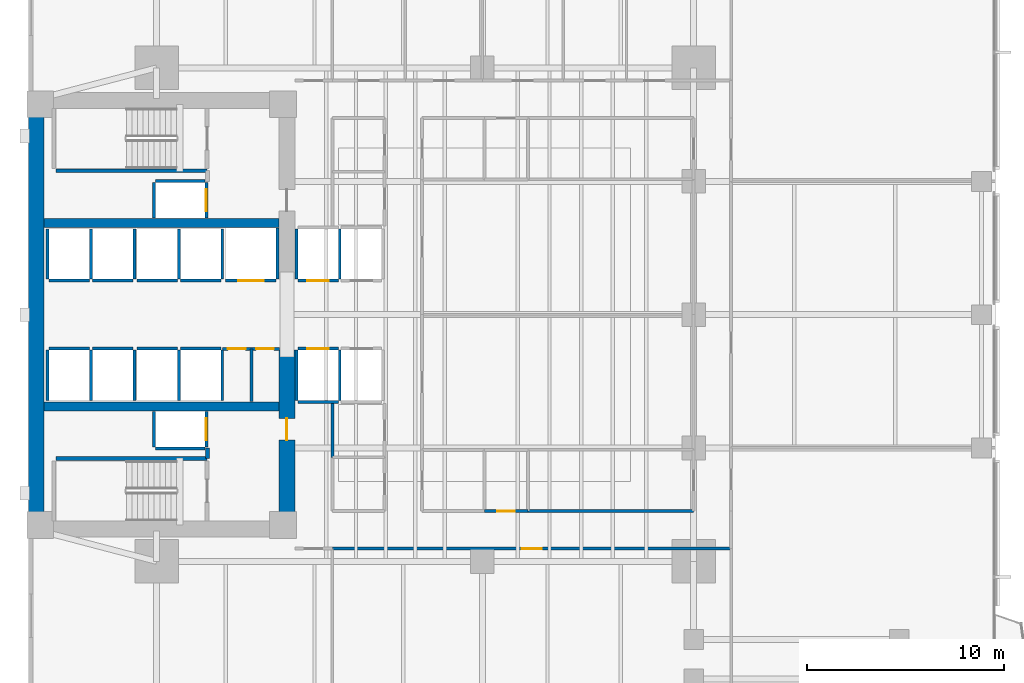
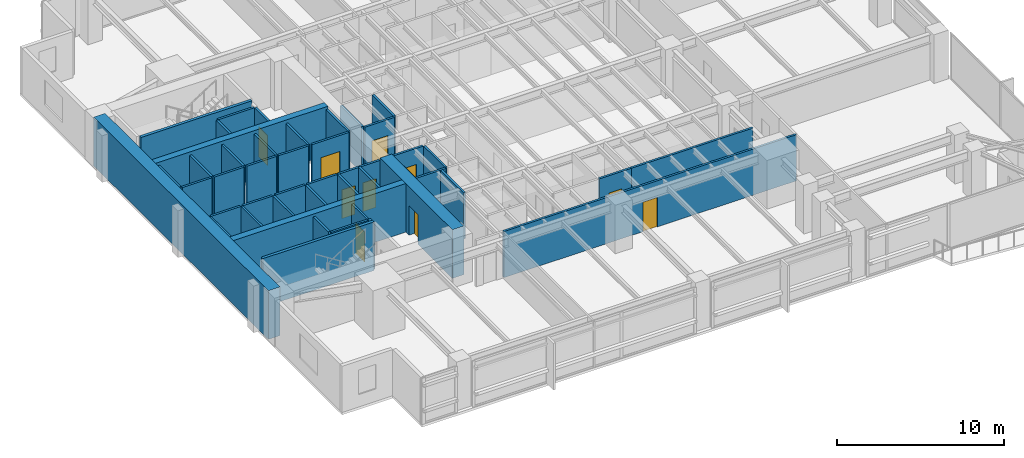
# One storey, part 8 of 15: 46 walls, 10 doors, 10 openings.
"""IFC4 building model written with IfcOpenShell, lengths in metres."""

from ifc_helpers import new_model, si_unit, direction, frame, frame_2d, origin, place, context, subcontext, project, spatial, rectangle, extrude, material, layer, layer_set, type_object, element, fill, save


model = new_model("IFC4")

# Units and contexts
model_context = context("Model", 3, precision=1e-05, world=origin(), true_north=direction((0.0, 1.0)))
body_context = subcontext(model_context, "Body", "Model", "MODEL_VIEW")
ifc_project = project(units=[si_unit("LENGTHUNIT", "METRE"), si_unit("AREAUNIT", "SQUARE_METRE"), si_unit("VOLUMEUNIT", "CUBIC_METRE"), si_unit("PLANEANGLEUNIT", "RADIAN"), si_unit("MASSUNIT", "GRAM", prefix="KILO")], contexts=[model_context])

# Site, building, storey
site_placement = place(None, origin())
site = spatial("IfcSite", under=ifc_project, at=site_placement, CompositionType="ELEMENT")
building_placement = place(site_placement, origin())
building = spatial("IfcBuilding", under=site, at=building_placement, Name="Kinhvarn Gate Tower", CompositionType="ELEMENT")
storey_placement = place(building_placement, frame((0.0, 0.0, 50.449951171875)))
storey = spatial("IfcBuildingStorey", under=building, at=storey_placement, Name="L12", CompositionType="ELEMENT", Elevation=50.449951171875)

# Walls
ifc_material_1 = material(Name="Concrete C50/60", Category="concrete")
ifc_layer_1 = layer(ifc_material_1, 0.449951171875)
ifc_layer_set_1 = layer_set([ifc_layer_1], Name="Concrete C50/60")
wall_type_1 = type_object("IfcWallType", Name="WL-CORE-450", PredefinedType="SHEAR", material=ifc_layer_set_1)
for number, where, z_axis, x_axis, name in (
    (1, (5.300048828125, 20.60009765625, 0.0), (0.0, 0.0, 1.0), (1.0, 0.0, 0.0), "Core South Spine Shear Wall L12 450 mm"),
    (2, (5.300048828125, 29.89990234375, 0.0), (0.0, 0.0, 1.0), (1.0, 0.0, 0.0), "Core North Spine Shear Wall L12 450 mm"),
):
    element("IfcWall", number, at=place(storey_placement, frame(where, z_axis=z_axis, x_axis=x_axis)), inside=storey, type_object=wall_type_1, Name=name, PredefinedType="SHEAR", context=body_context, shape_type="SweptSolid", body=[
        extrude(rectangle(XDim=11.89990234375, YDim=0.449951171875, at=frame_2d((5.949951171875, 0.0))), origin(), (0.0, 0.0, 1.0), 3.550048828125),
    ])

# Wall, opening, door
ifc_material_2 = material(Name="Concrete C70/85", Category="concrete")
ifc_layer_2 = layer(ifc_material_2, 0.800048828125)
ifc_layer_set_2 = layer_set([ifc_layer_2], Name="Concrete C70/85")
wall_type_2 = type_object("IfcWallType", Name="WL-CORE-800", PredefinedType="SHEAR", material=ifc_layer_set_2)
wall_1_placement = place(storey_placement, frame((17.60009765625, 14.800048828125, 0.0), z_axis=(0.0, 0.0, 1.0), x_axis=(0.0, 1.0, 0.0)))
wall_1 = element("IfcWall", 3, at=wall_1_placement, inside=storey, type_object=wall_type_2, Name="Core East-South Shear Pier L12 800 mm", PredefinedType="SHEAR", context=body_context, shape_type="SweptSolid", body=[
    extrude(rectangle(XDim=8.64990234375, YDim=0.800048828125, at=frame_2d((4.324951171875, 0.0))), origin(), (0.0, 0.0, 1.0), 3.550048828125),
])
opening_1_placement = place(wall_1_placement, frame((4.10009765625, 0.0, 0.0)))
opening_1 = element("IfcOpeningElement", 4, at=opening_1_placement, cuts=wall_1, Name="Opening FD-02", PredefinedType="OPENING", context=body_context, shape_type="SweptSolid", body=[
    extrude(rectangle(XDim=1.10009765625, YDim=2.14990234375, at=frame_2d((0.550048828125, 1.074951171875))), frame((0.0, 0.41015625, 0.0), z_axis=(0.0, -1.0, 0.0), x_axis=(1.0, 0.0, 0.0)), (0.0, 0.0, 1.0), 0.820068359375),
])
ifc_material_3 = material(Name="Anodised aluminium AW-6063", Category="aluminium")
door_type_1 = type_object("IfcDoorType", Name="DR-FD-1100", OperationType="NOTDEFINED", PredefinedType="DOOR", material=ifc_material_3)
door_1_placement = place(opening_1_placement, origin())
door_1 = element("IfcDoor", 5, at=door_1_placement, inside=storey, type_object=door_type_1, Name="Firefighting Lobby Core Door (L12)", OperationType="SINGLE_SWING_RIGHT", OverallHeight=2.14990234375, OverallWidth=1.10009765625, PredefinedType="DOOR", context=body_context, shape_type="SweptSolid", body=[
    extrude(rectangle(XDim=1.10009765625, YDim=2.14990234375, at=frame_2d((0.550048828125, 1.074951171875))), frame((0.0, 0.02490234375, 0.0), z_axis=(0.0, -1.0, 0.0), x_axis=(1.0, 0.0, 0.0)), (0.0, 0.0, 1.0), 0.050048828125),
])
fill(opening_1, door_1)

# Wall
ifc_layer_3 = layer(ifc_material_2, 0.800048828125)
ifc_layer_set_3 = layer_set([ifc_layer_3], Name="Concrete C70/85")
wall_type_3 = type_object("IfcWallType", Name="WL-COREX-800", PredefinedType="SHEAR", material=ifc_layer_set_3)
wall_2_placement = place(storey_placement, frame((4.89990234375, 14.800048828125, 0.0), z_axis=(0.0, 0.0, 1.0), x_axis=(0.0, 1.0, 0.0)))
element("IfcWall", 6, at=wall_2_placement, inside=storey, type_object=wall_type_3, Name="Core West Shear Wall L12 800 mm", PredefinedType="SHEAR", context=body_context, shape_type="SweptSolid", body=[
    extrude(rectangle(XDim=20.89990234375, YDim=0.800048828125, at=frame_2d((10.449951171875, 0.0))), origin(), (0.0, 0.0, 1.0), 3.550048828125),
])

# Wall, opening, door
ifc_material_4 = material(Name="Gypsum acoustic partition board")
ifc_layer_4 = layer(ifc_material_4, 0.14990234375)
ifc_layer_set_4 = layer_set([ifc_layer_4], Name="Gypsum acoustic partition board")
wall_type_4 = type_object("IfcWallType", Name="WL-PLM-150F", PredefinedType="PLUMBINGWALL", material=ifc_layer_set_4)
wall_3_placement = place(storey_placement, frame((27.60009765625, 15.300048828125, 0.0), z_axis=(0.0, 0.0, 1.0), x_axis=(1.0, 0.0, 0.0)))
wall_3 = element("IfcWall", 7, at=wall_3_placement, inside=storey, type_object=wall_type_4, Name="Interior Partition PLW-150F (L12)", PredefinedType="PLUMBINGWALL", context=body_context, shape_type="SweptSolid", body=[
    extrude(rectangle(XDim=2.199951171875, YDim=0.14990234375, at=frame_2d((1.10009765625, 0.0))), origin(), (0.0, 0.0, 1.0), 3.3701171875),
])
opening_2_placement = place(wall_3_placement, frame((0.64990234375, 0.0, 0.0)))
opening_2 = element("IfcOpeningElement", 8, at=opening_2_placement, cuts=wall_3, Name="Opening FD-04", PredefinedType="OPENING", context=body_context, shape_type="SweptSolid", body=[
    extrude(rectangle(XDim=0.89990234375, YDim=2.10009765625, at=frame_2d((0.449951171875, 1.050048828125))), frame((0.0, 0.0849609375, 0.0), z_axis=(0.0, -1.0, 0.0), x_axis=(1.0, 0.0, 0.0)), (0.0, 0.0, 1.0), 0.169921875),
])
door_type_2 = type_object("IfcDoorType", Name="DR-FD-900", OperationType="NOTDEFINED", PredefinedType="DOOR", material=ifc_material_3)
door_2_placement = place(opening_2_placement, origin())
door_2 = element("IfcDoor", 9, at=door_2_placement, inside=storey, type_object=door_type_2, Name="Rated Riser & Service Closet Fire Door 900x2100 mm (L12)", OperationType="SINGLE_SWING_LEFT", OverallHeight=2.10009765625, OverallWidth=0.89990234375, PredefinedType="DOOR", context=body_context, shape_type="SweptSolid", body=[
    extrude(rectangle(XDim=0.89990234375, YDim=2.10009765625, at=frame_2d((0.449951171875, 1.050048828125))), frame((0.0, 0.02490234375, 0.0), z_axis=(0.0, -1.0, 0.0), x_axis=(1.0, 0.0, 0.0)), (0.0, 0.0, 1.0), 0.050048828125),
])
fill(opening_2, door_2)

# Wall
ifc_layer_5 = layer(ifc_material_4, 0.14990234375)
ifc_layer_set_5 = layer_set([ifc_layer_5], Name="Gypsum acoustic partition board")
wall_type_5 = type_object("IfcWallType", Name="WL-PRT-150F", PredefinedType="PARTITIONING", material=ifc_layer_set_5)
wall_4_placement = place(storey_placement, frame((15.800048828125, 20.85009765625, 0.0), z_axis=(0.0, 0.0, 1.0), x_axis=(0.0, 1.0, 0.0)))
element("IfcWall", 10, at=wall_4_placement, inside=storey, type_object=wall_type_5, Name="Interior Partition PW-150F (L12)", PredefinedType="PARTITIONING", context=body_context, shape_type="SweptSolid", body=[
    extrude(rectangle(XDim=2.669921875, YDim=0.14990234375, at=frame_2d((1.3349609375, 0.0))), origin(), (0.0, 0.0, 1.0), 3.3701171875),
])

# Wall, openings, doors
wall_5_placement = place(storey_placement, frame((14.330078125, 23.52001953125, 0.0), z_axis=(0.0, 0.0, 1.0), x_axis=(1.0, 0.0, 0.0)))
wall_5 = element("IfcWall", 11, at=wall_5_placement, inside=storey, type_object=wall_type_5, Name="Interior Partition PW-150F (L12)", PredefinedType="PARTITIONING", context=body_context, shape_type="SweptSolid", body=[
    extrude(rectangle(XDim=2.889892578125, YDim=0.14990234375, at=frame_2d((1.44482421875, 0.0))), origin(), (0.0, 0.0, 1.0), 3.3701171875),
])
opening_3_placement = place(wall_5_placement, frame((0.280029296875, 0.0, 0.0)))
opening_3 = element("IfcOpeningElement", 12, at=opening_3_placement, cuts=wall_5, Name="Opening FD-04", PredefinedType="OPENING", context=body_context, shape_type="SweptSolid", body=[
    extrude(rectangle(XDim=0.89990234375, YDim=2.10009765625, at=frame_2d((0.449951171875, 1.050048828125))), frame((0.0, 0.0849609375, 0.0), z_axis=(0.0, -1.0, 0.0), x_axis=(1.0, 0.0, 0.0)), (0.0, 0.0, 1.0), 0.169921875),
])
opening_4_placement = place(wall_5_placement, frame((1.7099609375, 0.0, 0.0)))
opening_4 = element("IfcOpeningElement", 13, at=opening_4_placement, cuts=wall_5, Name="Opening FD-04", PredefinedType="OPENING", context=body_context, shape_type="SweptSolid", body=[
    extrude(rectangle(XDim=0.89990234375, YDim=2.10009765625, at=frame_2d((0.449951171875, 1.050048828125))), frame((0.0, 0.0849609375, 0.0), z_axis=(0.0, -1.0, 0.0), x_axis=(1.0, 0.0, 0.0)), (0.0, 0.0, 1.0), 0.169921875),
])
door_3_placement = place(opening_3_placement, origin())
door_3 = element("IfcDoor", 14, at=door_3_placement, inside=storey, type_object=door_type_2, Name="Rated Riser & Service Closet Fire Door 900x2100 mm (L12)", OperationType="SINGLE_SWING_LEFT", OverallHeight=2.10009765625, OverallWidth=0.89990234375, PredefinedType="DOOR", context=body_context, shape_type="SweptSolid", body=[
    extrude(rectangle(XDim=0.89990234375, YDim=2.10009765625, at=frame_2d((0.449951171875, 1.050048828125))), frame((0.0, 0.02490234375, 0.0), z_axis=(0.0, -1.0, 0.0), x_axis=(1.0, 0.0, 0.0)), (0.0, 0.0, 1.0), 0.050048828125),
])
fill(opening_3, door_3)
door_4_placement = place(opening_4_placement, origin())
door_4 = element("IfcDoor", 15, at=door_4_placement, inside=storey, type_object=door_type_2, Name="Rated Riser & Service Closet Fire Door 900x2100 mm (L12)", OperationType="SINGLE_SWING_RIGHT", OverallHeight=2.10009765625, OverallWidth=0.89990234375, PredefinedType="DOOR", context=body_context, shape_type="SweptSolid", body=[
    extrude(rectangle(XDim=0.89990234375, YDim=2.10009765625, at=frame_2d((0.449951171875, 1.050048828125))), frame((0.0, 0.02490234375, 0.0), z_axis=(0.0, -1.0, 0.0), x_axis=(1.0, 0.0, 0.0)), (0.0, 0.0, 1.0), 0.050048828125),
])
fill(opening_4, door_4)

# Walls
wall_6_placement = place(storey_placement, frame((19.89990234375, 18.02001953125, 0.0), z_axis=(0.0, 0.0, 1.0), x_axis=(0.0, 1.0, 0.0)))
element("IfcWall", 16, at=wall_6_placement, inside=storey, type_object=wall_type_5, Name="Interior Partition PW-150F (L12)", PredefinedType="PARTITIONING", context=body_context, shape_type="SweptSolid", body=[
    extrude(rectangle(XDim=2.72998046875, YDim=0.14990234375, at=frame_2d((1.364990234375, 0.0))), origin(), (0.0, 0.0, 1.0), 3.3701171875),
])
wall_7_placement = place(storey_placement, frame((29.800048828125, 15.300048828125, 0.0), z_axis=(0.0, 0.0, 1.0), x_axis=(1.0, 0.0, 0.0)))
element("IfcWall", 17, at=wall_7_placement, inside=storey, type_object=wall_type_5, Name="Interior Partition PW-150F (L12)", PredefinedType="PARTITIONING", context=body_context, shape_type="SweptSolid", body=[
    extrude(rectangle(XDim=8.39990234375, YDim=0.14990234375, at=frame_2d((4.199951171875, 0.0))), origin(), (0.0, 0.0, 1.0), 3.3701171875),
])

# Wall, opening, door
wall_8_placement = place(storey_placement, frame((19.89990234375, 13.39990234375, 0.0), z_axis=(0.0, 0.0, 1.0), x_axis=(1.0, 0.0, 0.0)))
wall_8 = element("IfcWall", 18, at=wall_8_placement, inside=storey, type_object=wall_type_5, Name="Interior Partition PW-150F (L12)", PredefinedType="PARTITIONING", context=body_context, shape_type="SweptSolid", body=[
    extrude(rectangle(XDim=20.2001953125, YDim=0.14990234375, at=frame_2d((10.10009765625, 0.0))), origin(), (0.0, 0.0, 1.0), 3.3701171875),
])
opening_5_placement = place(wall_8_placement, frame((9.60009765625, 0.0, 0.0)))
opening_5 = element("IfcOpeningElement", 19, at=opening_5_placement, cuts=wall_8, Name="Opening ID-02", PredefinedType="OPENING", context=body_context, shape_type="SweptSolid", body=[
    extrude(rectangle(XDim=1.0, YDim=2.14990234375, at=frame_2d((0.5, 1.074951171875))), frame((0.0, 0.0849609375, 0.0), z_axis=(0.0, -1.0, 0.0), x_axis=(1.0, 0.0, 0.0)), (0.0, 0.0, 1.0), 0.169921875),
])
door_type_3 = type_object("IfcDoorType", Name="DR-INT-1000", OperationType="NOTDEFINED", PredefinedType="DOOR", material=ifc_material_3)
door_5_placement = place(opening_5_placement, origin())
door_5 = element("IfcDoor", 20, at=door_5_placement, inside=storey, type_object=door_type_3, Name="Standard Office & Meeting Room Door 1000x2150 mm (L12)", OperationType="SINGLE_SWING_LEFT", OverallHeight=2.14990234375, OverallWidth=1.0, PredefinedType="DOOR", context=body_context, shape_type="SweptSolid", body=[
    extrude(rectangle(XDim=1.0, YDim=2.14990234375, at=frame_2d((0.5, 1.074951171875))), frame((0.0, 0.02490234375, 0.0), z_axis=(0.0, -1.0, 0.0), x_axis=(1.0, 0.0, 0.0)), (0.0, 0.0, 1.0), 0.050048828125),
])
fill(opening_5, door_5)

# Walls
ifc_layer_6 = layer(ifc_material_4, 0.199951171875)
ifc_layer_set_6 = layer_set([ifc_layer_6], Name="Gypsum acoustic partition board")
wall_type_6 = type_object("IfcWallType", Name="WL-PRT-200", PredefinedType="PARTITIONING", material=ifc_layer_set_6)
wall_9_placement = place(storey_placement, frame((13.580078125, 17.9599609375, 0.0), z_axis=(0.0, 0.0, 1.0), x_axis=(0.0, 1.0, 0.0)))
element("IfcWall", 21, at=wall_9_placement, inside=storey, type_object=wall_type_6, Name="Interior Partition PW-200 (L12)", PredefinedType="PARTITIONING", context=body_context, shape_type="SweptSolid", body=[
    extrude(rectangle(XDim=0.5400390625, YDim=0.199951171875, at=frame_2d((0.27001953125, 0.0))), origin(), (0.0, 0.0, 1.0), 3.3701171875),
])
ifc_layer_7 = layer(ifc_material_4, 0.14990234375)
ifc_layer_set_7 = layer_set([ifc_layer_7], Name="Gypsum acoustic partition board")
wall_type_7 = type_object("IfcWallType", Name="WL-SHF-150", PredefinedType="PARTITIONING", material=ifc_layer_set_7)
wall_10_placement = place(storey_placement, frame((18.14990234375, 20.824951171875, 0.0), z_axis=(0.0, 0.0, 1.0), x_axis=(1.0, 0.0, 0.0)))
element("IfcWall", 22, at=wall_10_placement, inside=storey, type_object=wall_type_7, Name="Elevator PL-01 Hoistway Wall S (L12)", PredefinedType="PARTITIONING", context=body_context, shape_type="SweptSolid", body=[
    extrude(rectangle(XDim=2.050048828125, YDim=0.14990234375, at=frame_2d((1.02490234375, 0.0))), origin(), (0.0, 0.0, 1.0), 3.3701171875),
])

# Wall, opening, door
wall_11_placement = place(storey_placement, frame((18.14990234375, 23.52490234375, 0.0), z_axis=(0.0, 0.0, 1.0), x_axis=(1.0, 0.0, 0.0)))
wall_11 = element("IfcWall", 23, at=wall_11_placement, inside=storey, type_object=wall_type_7, Name="Elevator PL-01 Landing Wall (L12)", PredefinedType="PARTITIONING", context=body_context, shape_type="SweptSolid", body=[
    extrude(rectangle(XDim=2.050048828125, YDim=0.14990234375, at=frame_2d((1.02490234375, 0.0))), origin(), (0.0, 0.0, 1.0), 3.3701171875),
])
opening_6_placement = place(wall_11_placement, frame((0.47509765625, 0.0, 0.0)))
opening_6 = element("IfcOpeningElement", 24, at=opening_6_placement, cuts=wall_11, Name="Opening LD-01", PredefinedType="OPENING", context=body_context, shape_type="SweptSolid", body=[
    extrude(rectangle(XDim=1.10009765625, YDim=2.199951171875, at=frame_2d((0.550048828125, 1.10009765625))), frame((0.0, 0.0849609375, 0.0), z_axis=(0.0, -1.0, 0.0), x_axis=(1.0, 0.0, 0.0)), (0.0, 0.0, 1.0), 0.169921875),
])
door_type_4 = type_object("IfcDoorType", Name="DR-LND-PAS", OperationType="NOTDEFINED", PredefinedType="DOOR", material=ifc_material_3)
door_6_placement = place(opening_6_placement, origin())
door_6 = element("IfcDoor", 25, at=door_6_placement, inside=storey, type_object=door_type_4, Name="Elevator PL-01 Sliding Landing Door (L12)", OperationType="DOUBLE_DOOR_SLIDING", OverallHeight=2.199951171875, OverallWidth=1.10009765625, PredefinedType="DOOR", context=body_context, shape_type="SweptSolid", body=[
    extrude(rectangle(XDim=1.10009765625, YDim=2.199951171875, at=frame_2d((0.550048828125, 1.10009765625))), frame((0.0, 0.02490234375, 0.0), z_axis=(0.0, -1.0, 0.0), x_axis=(1.0, 0.0, 0.0)), (0.0, 0.0, 1.0), 0.050048828125),
])
fill(opening_6, door_6)

# Walls
for number, where, z_axis, x_axis, name in (
    (26, (18.074951171875, 20.89990234375, 0.0), (0.0, 0.0, 1.0), (0.0, 1.0, 0.0), "Elevator PL-01 Hoistway Wall W (L12)"),
    (27, (20.27490234375, 20.89990234375, 0.0), (0.0, 0.0, 1.0), (0.0, 1.0, 0.0), "Elevator PL-01 Hoistway Wall E (L12)"),
):
    element("IfcWall", number, at=place(storey_placement, frame(where, z_axis=z_axis, x_axis=x_axis)), inside=storey, type_object=wall_type_7, Name=name, PredefinedType="PARTITIONING", context=body_context, shape_type="SweptSolid", body=[
        extrude(rectangle(XDim=2.550048828125, YDim=0.14990234375, at=frame_2d((1.27490234375, 0.0))), origin(), (0.0, 0.0, 1.0), 3.3701171875),
    ])

# Wall, opening, door
wall_12_placement = place(storey_placement, frame((18.14990234375, 26.97509765625, 0.0), z_axis=(0.0, 0.0, 1.0), x_axis=(1.0, 0.0, 0.0)))
wall_12 = element("IfcWall", 28, at=wall_12_placement, inside=storey, type_object=wall_type_7, Name="Elevator PL-03 Landing Wall (L12)", PredefinedType="PARTITIONING", context=body_context, shape_type="SweptSolid", body=[
    extrude(rectangle(XDim=2.050048828125, YDim=0.14990234375, at=frame_2d((1.02490234375, 0.0))), origin(), (0.0, 0.0, 1.0), 3.3701171875),
])
opening_7_placement = place(wall_12_placement, frame((0.47509765625, 0.0, 0.0)))
opening_7 = element("IfcOpeningElement", 29, at=opening_7_placement, cuts=wall_12, Name="Opening LD-01", PredefinedType="OPENING", context=body_context, shape_type="SweptSolid", body=[
    extrude(rectangle(XDim=1.10009765625, YDim=2.199951171875, at=frame_2d((0.550048828125, 1.10009765625))), frame((0.0, 0.0849609375, 0.0), z_axis=(0.0, -1.0, 0.0), x_axis=(1.0, 0.0, 0.0)), (0.0, 0.0, 1.0), 0.169921875),
])
door_7_placement = place(opening_7_placement, origin())
door_7 = element("IfcDoor", 30, at=door_7_placement, inside=storey, type_object=door_type_4, Name="Elevator PL-03 Sliding Landing Door (L12)", OperationType="DOUBLE_DOOR_SLIDING", OverallHeight=2.199951171875, OverallWidth=1.10009765625, PredefinedType="DOOR", context=body_context, shape_type="SweptSolid", body=[
    extrude(rectangle(XDim=1.10009765625, YDim=2.199951171875, at=frame_2d((0.550048828125, 1.10009765625))), frame((0.0, 0.02490234375, 0.0), z_axis=(0.0, -1.0, 0.0), x_axis=(1.0, 0.0, 0.0)), (0.0, 0.0, 1.0), 0.050048828125),
])
fill(opening_7, door_7)

# Walls
for number, where, z_axis, x_axis, name in (
    (31, (18.074951171875, 27.050048828125, 0.0), (0.0, 0.0, 1.0), (0.0, 1.0, 0.0), "Elevator PL-03 Hoistway Wall W (L12)"),
    (32, (20.27490234375, 27.050048828125, 0.0), (0.0, 0.0, 1.0), (0.0, 1.0, 0.0), "Elevator PL-03 Hoistway Wall E (L12)"),
):
    element("IfcWall", number, at=place(storey_placement, frame(where, z_axis=z_axis, x_axis=x_axis)), inside=storey, type_object=wall_type_7, Name=name, PredefinedType="PARTITIONING", context=body_context, shape_type="SweptSolid", body=[
        extrude(rectangle(XDim=2.550048828125, YDim=0.14990234375, at=frame_2d((1.27490234375, 0.0))), origin(), (0.0, 0.0, 1.0), 3.3701171875),
    ])
wall_13_placement = place(storey_placement, frame((5.550048828125, 23.52490234375, 0.0), z_axis=(0.0, 0.0, 1.0), x_axis=(1.0, 0.0, 0.0)))
element("IfcWall", 33, at=wall_13_placement, inside=storey, type_object=wall_type_7, Name="Elevator PM-05 Landing Wall (L12)", PredefinedType="PARTITIONING", context=body_context, shape_type="SweptSolid", body=[
    extrude(rectangle(XDim=2.050048828125, YDim=0.14990234375, at=frame_2d((1.02490234375, 0.0))), origin(), (0.0, 0.0, 1.0), 3.3701171875),
])
for number, where, z_axis, x_axis, name in (
    (34, (5.47509765625, 20.89990234375, 0.0), (0.0, 0.0, 1.0), (0.0, 1.0, 0.0), "Elevator PM-05 Hoistway Wall W (L12)"),
    (35, (7.675048828125, 20.89990234375, 0.0), (0.0, 0.0, 1.0), (0.0, 1.0, 0.0), "Elevator PM-05 Hoistway Wall E (L12)"),
):
    element("IfcWall", number, at=place(storey_placement, frame(where, z_axis=z_axis, x_axis=x_axis)), inside=storey, type_object=wall_type_7, Name=name, PredefinedType="PARTITIONING", context=body_context, shape_type="SweptSolid", body=[
        extrude(rectangle(XDim=2.550048828125, YDim=0.14990234375, at=frame_2d((1.27490234375, 0.0))), origin(), (0.0, 0.0, 1.0), 3.3701171875),
    ])
wall_14_placement = place(storey_placement, frame((7.75, 23.52490234375, 0.0), z_axis=(0.0, 0.0, 1.0), x_axis=(1.0, 0.0, 0.0)))
element("IfcWall", 36, at=wall_14_placement, inside=storey, type_object=wall_type_7, Name="Elevator PM-06 Landing Wall (L12)", PredefinedType="PARTITIONING", context=body_context, shape_type="SweptSolid", body=[
    extrude(rectangle(XDim=2.050048828125, YDim=0.14990234375, at=frame_2d((1.02490234375, 0.0))), origin(), (0.0, 0.0, 1.0), 3.3701171875),
])
wall_15_placement = place(storey_placement, frame((9.875, 20.89990234375, 0.0), z_axis=(0.0, 0.0, 1.0), x_axis=(0.0, 1.0, 0.0)))
element("IfcWall", 37, at=wall_15_placement, inside=storey, type_object=wall_type_7, Name="Elevator PM-06 Hoistway Wall E (L12)", PredefinedType="PARTITIONING", context=body_context, shape_type="SweptSolid", body=[
    extrude(rectangle(XDim=2.550048828125, YDim=0.14990234375, at=frame_2d((1.27490234375, 0.0))), origin(), (0.0, 0.0, 1.0), 3.3701171875),
])
wall_16_placement = place(storey_placement, frame((5.550048828125, 26.97509765625, 0.0), z_axis=(0.0, 0.0, 1.0), x_axis=(1.0, 0.0, 0.0)))
element("IfcWall", 38, at=wall_16_placement, inside=storey, type_object=wall_type_7, Name="Elevator PM-07 Landing Wall (L12)", PredefinedType="PARTITIONING", context=body_context, shape_type="SweptSolid", body=[
    extrude(rectangle(XDim=2.050048828125, YDim=0.14990234375, at=frame_2d((1.02490234375, 0.0))), origin(), (0.0, 0.0, 1.0), 3.3701171875),
])
for number, where, z_axis, x_axis, name in (
    (39, (5.47509765625, 27.050048828125, 0.0), (0.0, 0.0, 1.0), (0.0, 1.0, 0.0), "Elevator PM-07 Hoistway Wall W (L12)"),
    (40, (7.675048828125, 27.050048828125, 0.0), (0.0, 0.0, 1.0), (0.0, 1.0, 0.0), "Elevator PM-07 Hoistway Wall E (L12)"),
):
    element("IfcWall", number, at=place(storey_placement, frame(where, z_axis=z_axis, x_axis=x_axis)), inside=storey, type_object=wall_type_7, Name=name, PredefinedType="PARTITIONING", context=body_context, shape_type="SweptSolid", body=[
        extrude(rectangle(XDim=2.550048828125, YDim=0.14990234375, at=frame_2d((1.27490234375, 0.0))), origin(), (0.0, 0.0, 1.0), 3.3701171875),
    ])
wall_17_placement = place(storey_placement, frame((7.75, 26.97509765625, 0.0), z_axis=(0.0, 0.0, 1.0), x_axis=(1.0, 0.0, 0.0)))
element("IfcWall", 41, at=wall_17_placement, inside=storey, type_object=wall_type_7, Name="Elevator PM-08 Landing Wall (L12)", PredefinedType="PARTITIONING", context=body_context, shape_type="SweptSolid", body=[
    extrude(rectangle(XDim=2.050048828125, YDim=0.14990234375, at=frame_2d((1.02490234375, 0.0))), origin(), (0.0, 0.0, 1.0), 3.3701171875),
])
wall_18_placement = place(storey_placement, frame((9.875, 27.050048828125, 0.0), z_axis=(0.0, 0.0, 1.0), x_axis=(0.0, 1.0, 0.0)))
element("IfcWall", 42, at=wall_18_placement, inside=storey, type_object=wall_type_7, Name="Elevator PM-08 Hoistway Wall E (L12)", PredefinedType="PARTITIONING", context=body_context, shape_type="SweptSolid", body=[
    extrude(rectangle(XDim=2.550048828125, YDim=0.14990234375, at=frame_2d((1.27490234375, 0.0))), origin(), (0.0, 0.0, 1.0), 3.3701171875),
])
wall_19_placement = place(storey_placement, frame((10.0, 23.52490234375, 0.0), z_axis=(0.0, 0.0, 1.0), x_axis=(1.0, 0.0, 0.0)))
element("IfcWall", 43, at=wall_19_placement, inside=storey, type_object=wall_type_7, Name="Elevator PH-09 Landing Wall (L12)", PredefinedType="PARTITIONING", context=body_context, shape_type="SweptSolid", body=[
    extrude(rectangle(XDim=2.050048828125, YDim=0.14990234375, at=frame_2d((1.02490234375, 0.0))), origin(), (0.0, 0.0, 1.0), 3.3701171875),
])
wall_20_placement = place(storey_placement, frame((12.125, 20.89990234375, 0.0), z_axis=(0.0, 0.0, 1.0), x_axis=(0.0, 1.0, 0.0)))
element("IfcWall", 44, at=wall_20_placement, inside=storey, type_object=wall_type_7, Name="Elevator PH-09 Hoistway Wall E (L12)", PredefinedType="PARTITIONING", context=body_context, shape_type="SweptSolid", body=[
    extrude(rectangle(XDim=2.550048828125, YDim=0.14990234375, at=frame_2d((1.27490234375, 0.0))), origin(), (0.0, 0.0, 1.0), 3.3701171875),
])
wall_21_placement = place(storey_placement, frame((12.199951171875, 23.52490234375, 0.0), z_axis=(0.0, 0.0, 1.0), x_axis=(1.0, 0.0, 0.0)))
element("IfcWall", 45, at=wall_21_placement, inside=storey, type_object=wall_type_7, Name="Elevator PH-10 Landing Wall (L12)", PredefinedType="PARTITIONING", context=body_context, shape_type="SweptSolid", body=[
    extrude(rectangle(XDim=2.050048828125, YDim=0.14990234375, at=frame_2d((1.02490234375, 0.0))), origin(), (0.0, 0.0, 1.0), 3.3701171875),
])
wall_22_placement = place(storey_placement, frame((14.324951171875, 20.89990234375, 0.0), z_axis=(0.0, 0.0, 1.0), x_axis=(0.0, 1.0, 0.0)))
element("IfcWall", 46, at=wall_22_placement, inside=storey, type_object=wall_type_7, Name="Elevator PH-10 Hoistway Wall E (L12)", PredefinedType="PARTITIONING", context=body_context, shape_type="SweptSolid", body=[
    extrude(rectangle(XDim=2.550048828125, YDim=0.14990234375, at=frame_2d((1.27490234375, 0.0))), origin(), (0.0, 0.0, 1.0), 3.3701171875),
])
wall_23_placement = place(storey_placement, frame((10.0, 26.97509765625, 0.0), z_axis=(0.0, 0.0, 1.0), x_axis=(1.0, 0.0, 0.0)))
element("IfcWall", 47, at=wall_23_placement, inside=storey, type_object=wall_type_7, Name="Elevator PH-11 Landing Wall (L12)", PredefinedType="PARTITIONING", context=body_context, shape_type="SweptSolid", body=[
    extrude(rectangle(XDim=2.050048828125, YDim=0.14990234375, at=frame_2d((1.02490234375, 0.0))), origin(), (0.0, 0.0, 1.0), 3.3701171875),
])
wall_24_placement = place(storey_placement, frame((12.125, 27.050048828125, 0.0), z_axis=(0.0, 0.0, 1.0), x_axis=(0.0, 1.0, 0.0)))
element("IfcWall", 48, at=wall_24_placement, inside=storey, type_object=wall_type_7, Name="Elevator PH-11 Hoistway Wall E (L12)", PredefinedType="PARTITIONING", context=body_context, shape_type="SweptSolid", body=[
    extrude(rectangle(XDim=2.550048828125, YDim=0.14990234375, at=frame_2d((1.27490234375, 0.0))), origin(), (0.0, 0.0, 1.0), 3.3701171875),
])
wall_25_placement = place(storey_placement, frame((12.199951171875, 26.97509765625, 0.0), z_axis=(0.0, 0.0, 1.0), x_axis=(1.0, 0.0, 0.0)))
element("IfcWall", 49, at=wall_25_placement, inside=storey, type_object=wall_type_7, Name="Elevator PH-12 Landing Wall (L12)", PredefinedType="PARTITIONING", context=body_context, shape_type="SweptSolid", body=[
    extrude(rectangle(XDim=2.050048828125, YDim=0.14990234375, at=frame_2d((1.02490234375, 0.0))), origin(), (0.0, 0.0, 1.0), 3.3701171875),
])
wall_26_placement = place(storey_placement, frame((14.324951171875, 27.050048828125, 0.0), z_axis=(0.0, 0.0, 1.0), x_axis=(0.0, 1.0, 0.0)))
element("IfcWall", 50, at=wall_26_placement, inside=storey, type_object=wall_type_7, Name="Elevator PH-12 Hoistway Wall E (L12)", PredefinedType="PARTITIONING", context=body_context, shape_type="SweptSolid", body=[
    extrude(rectangle(XDim=2.550048828125, YDim=0.14990234375, at=frame_2d((1.27490234375, 0.0))), origin(), (0.0, 0.0, 1.0), 3.3701171875),
])

# Wall, opening, door
wall_27_placement = place(storey_placement, frame((14.5, 26.97509765625, 0.0), z_axis=(0.0, 0.0, 1.0), x_axis=(1.0, 0.0, 0.0)))
wall_27 = element("IfcWall", 51, at=wall_27_placement, inside=storey, type_object=wall_type_7, Name="Elevator SV-01 Landing Wall (L12)", PredefinedType="PARTITIONING", context=body_context, shape_type="SweptSolid", body=[
    extrude(rectangle(XDim=2.550048828125, YDim=0.14990234375, at=frame_2d((1.27490234375, 0.0))), origin(), (0.0, 0.0, 1.0), 3.3701171875),
])
opening_8_placement = place(wall_27_placement, frame((0.625, 0.0, 0.0)))
opening_8 = element("IfcOpeningElement", 52, at=opening_8_placement, cuts=wall_27, Name="Opening LD-02", PredefinedType="OPENING", context=body_context, shape_type="SweptSolid", body=[
    extrude(rectangle(XDim=1.300048828125, YDim=2.199951171875, at=frame_2d((0.64990234375, 1.10009765625))), frame((0.0, 0.0849609375, 0.0), z_axis=(0.0, -1.0, 0.0), x_axis=(1.0, 0.0, 0.0)), (0.0, 0.0, 1.0), 0.169921875),
])
door_type_5 = type_object("IfcDoorType", Name="DR-LND-SRV", OperationType="NOTDEFINED", PredefinedType="DOOR", material=ifc_material_3)
door_8_placement = place(opening_8_placement, origin())
door_8 = element("IfcDoor", 53, at=door_8_placement, inside=storey, type_object=door_type_5, Name="Elevator SV-01 Sliding Landing Door (L12)", OperationType="DOUBLE_DOOR_SLIDING", OverallHeight=2.199951171875, OverallWidth=1.300048828125, PredefinedType="DOOR", context=body_context, shape_type="SweptSolid", body=[
    extrude(rectangle(XDim=1.300048828125, YDim=2.199951171875, at=frame_2d((0.64990234375, 1.10009765625))), frame((0.0, 0.02490234375, 0.0), z_axis=(0.0, -1.0, 0.0), x_axis=(1.0, 0.0, 0.0)), (0.0, 0.0, 1.0), 0.050048828125),
])
fill(opening_8, door_8)

# Walls
wall_28_placement = place(storey_placement, frame((17.125, 27.050048828125, 0.0), z_axis=(0.0, 0.0, 1.0), x_axis=(0.0, 1.0, 0.0)))
element("IfcWall", 54, at=wall_28_placement, inside=storey, type_object=wall_type_7, Name="Elevator SV-01 Hoistway Wall E (L12)", PredefinedType="PARTITIONING", context=body_context, shape_type="SweptSolid", body=[
    extrude(rectangle(XDim=2.599853515625, YDim=0.14990234375, at=frame_2d((1.2998046875, 0.0))), origin(), (0.0, 0.0, 1.0), 3.3701171875),
])
wall_29_placement = place(storey_placement, frame((10.949951171875, 18.47509765625, 0.0), z_axis=(0.0, 0.0, 1.0), x_axis=(1.0, 0.0, 0.0)))
element("IfcWall", 55, at=wall_29_placement, inside=storey, type_object=wall_type_7, Name="Elevator FF1 Hoistway Wall S (L12)", PredefinedType="PARTITIONING", context=body_context, shape_type="SweptSolid", body=[
    extrude(rectangle(XDim=2.5, YDim=0.14990234375, at=frame_2d((1.25, 0.0))), origin(), (0.0, 0.0, 1.0), 3.3701171875),
])
wall_30_placement = place(storey_placement, frame((10.875, 18.550048828125, 0.0), z_axis=(0.0, 0.0, 1.0), x_axis=(0.0, 1.0, 0.0)))
element("IfcWall", 56, at=wall_30_placement, inside=storey, type_object=wall_type_7, Name="Elevator FF1 Hoistway Wall W (L12)", PredefinedType="PARTITIONING", context=body_context, shape_type="SweptSolid", body=[
    extrude(rectangle(XDim=1.800048828125, YDim=0.14990234375, at=frame_2d((0.89990234375, 0.0))), origin(), (0.0, 0.0, 1.0), 3.3701171875),
])

# Wall, opening, door
wall_31_placement = place(storey_placement, frame((13.52490234375, 18.550048828125, 0.0), z_axis=(0.0, 0.0, 1.0), x_axis=(0.0, 1.0, 0.0)))
wall_31 = element("IfcWall", 57, at=wall_31_placement, inside=storey, type_object=wall_type_7, Name="Elevator FF1 Landing Wall (L12)", PredefinedType="PARTITIONING", context=body_context, shape_type="SweptSolid", body=[
    extrude(rectangle(XDim=1.800048828125, YDim=0.14990234375, at=frame_2d((0.89990234375, 0.0))), origin(), (0.0, 0.0, 1.0), 3.3701171875),
])
opening_9_placement = place(wall_31_placement, frame((0.35009765625, 0.0, 0.0)))
opening_9 = element("IfcOpeningElement", 58, at=opening_9_placement, cuts=wall_31, Name="Opening LD-03", PredefinedType="OPENING", context=body_context, shape_type="SweptSolid", body=[
    extrude(rectangle(XDim=1.10009765625, YDim=2.199951171875, at=frame_2d((0.550048828125, 1.10009765625))), frame((0.0, 0.0849609375, 0.0), z_axis=(0.0, -1.0, 0.0), x_axis=(1.0, 0.0, 0.0)), (0.0, 0.0, 1.0), 0.169921875),
])
door_type_6 = type_object("IfcDoorType", Name="DR-LND-FF", OperationType="NOTDEFINED", PredefinedType="DOOR", material=ifc_material_3)
door_9_placement = place(opening_9_placement, origin())
door_9 = element("IfcDoor", 59, at=door_9_placement, inside=storey, type_object=door_type_6, Name="Elevator FF1 Sliding Landing Door (L12)", OperationType="DOUBLE_DOOR_SLIDING", OverallHeight=2.199951171875, OverallWidth=1.10009765625, PredefinedType="DOOR", context=body_context, shape_type="SweptSolid", body=[
    extrude(rectangle(XDim=1.10009765625, YDim=2.199951171875, at=frame_2d((0.550048828125, 1.10009765625))), frame((0.0, 0.02490234375, 0.0), z_axis=(0.0, -1.0, 0.0), x_axis=(1.0, 0.0, 0.0)), (0.0, 0.0, 1.0), 0.050048828125),
])
fill(opening_9, door_9)

# Walls
wall_32_placement = place(storey_placement, frame((10.949951171875, 32.02490234375, 0.0), z_axis=(0.0, 0.0, 1.0), x_axis=(1.0, 0.0, 0.0)))
element("IfcWall", 60, at=wall_32_placement, inside=storey, type_object=wall_type_7, Name="Elevator FF2 Hoistway Wall N (L12)", PredefinedType="PARTITIONING", context=body_context, shape_type="SweptSolid", body=[
    extrude(rectangle(XDim=2.5, YDim=0.14990234375, at=frame_2d((1.25, 0.0))), origin(), (0.0, 0.0, 1.0), 3.3701171875),
])
wall_33_placement = place(storey_placement, frame((10.875, 30.14990234375, 0.0), z_axis=(0.0, 0.0, 1.0), x_axis=(0.0, 1.0, 0.0)))
element("IfcWall", 61, at=wall_33_placement, inside=storey, type_object=wall_type_7, Name="Elevator FF2 Hoistway Wall W (L12)", PredefinedType="PARTITIONING", context=body_context, shape_type="SweptSolid", body=[
    extrude(rectangle(XDim=1.800048828125, YDim=0.14990234375, at=frame_2d((0.89990234375, 0.0))), origin(), (0.0, 0.0, 1.0), 3.3701171875),
])

# Wall, opening, door
wall_34_placement = place(storey_placement, frame((13.52490234375, 30.14990234375, 0.0), z_axis=(0.0, 0.0, 1.0), x_axis=(0.0, 1.0, 0.0)))
wall_34 = element("IfcWall", 62, at=wall_34_placement, inside=storey, type_object=wall_type_7, Name="Elevator FF2 Landing Wall (L12)", PredefinedType="PARTITIONING", context=body_context, shape_type="SweptSolid", body=[
    extrude(rectangle(XDim=1.800048828125, YDim=0.14990234375, at=frame_2d((0.89990234375, 0.0))), origin(), (0.0, 0.0, 1.0), 3.3701171875),
])
opening_10_placement = place(wall_34_placement, frame((0.35009765625, 0.0, 0.0)))
opening_10 = element("IfcOpeningElement", 63, at=opening_10_placement, cuts=wall_34, Name="Opening LD-03", PredefinedType="OPENING", context=body_context, shape_type="SweptSolid", body=[
    extrude(rectangle(XDim=1.10009765625, YDim=2.199951171875, at=frame_2d((0.550048828125, 1.10009765625))), frame((0.0, 0.0849609375, 0.0), z_axis=(0.0, -1.0, 0.0), x_axis=(1.0, 0.0, 0.0)), (0.0, 0.0, 1.0), 0.169921875),
])
door_10_placement = place(opening_10_placement, origin())
door_10 = element("IfcDoor", 64, at=door_10_placement, inside=storey, type_object=door_type_6, Name="Elevator FF2 Sliding Landing Door (L12)", OperationType="DOUBLE_DOOR_SLIDING", OverallHeight=2.199951171875, OverallWidth=1.10009765625, PredefinedType="DOOR", context=body_context, shape_type="SweptSolid", body=[
    extrude(rectangle(XDim=1.10009765625, YDim=2.199951171875, at=frame_2d((0.550048828125, 1.10009765625))), frame((0.0, 0.02490234375, 0.0), z_axis=(0.0, -1.0, 0.0), x_axis=(1.0, 0.0, 0.0)), (0.0, 0.0, 1.0), 0.050048828125),
])
fill(opening_10, door_10)

# Walls
ifc_material_5 = material(Name="Concrete C40/50", Category="concrete")
ifc_layer_8 = layer(ifc_material_5, 0.199951171875)
ifc_layer_set_8 = layer_set([ifc_layer_8], Name="Concrete C40/50")
wall_type_8 = type_object("IfcWallType", Name="WL-SHF-200", PredefinedType="SOLIDWALL", material=ifc_layer_set_8)
for number, where, z_axis, x_axis, name in (
    (65, (5.89990234375, 17.9599609375, 0.0), (0.0, 0.0, 1.0), (1.0, 0.0, 0.0), "Stair ST1 North Shaft Wall (L12)"),
    (66, (5.89990234375, 32.5400390625, 0.0), (0.0, 0.0, 1.0), (1.0, 0.0, 0.0), "Stair ST2 South Shaft Wall (L12)"),
):
    element("IfcWall", number, at=place(storey_placement, frame(where, z_axis=z_axis, x_axis=x_axis)), inside=storey, type_object=wall_type_8, Name=name, PredefinedType="SOLIDWALL", context=body_context, shape_type="SweptSolid", body=[
        extrude(rectangle(XDim=7.66015625, YDim=0.199951171875, at=frame_2d((3.830078125, 0.0))), origin(), (0.0, 0.0, 1.0), 3.550048828125),
    ])

save(model, "model.ifc")
